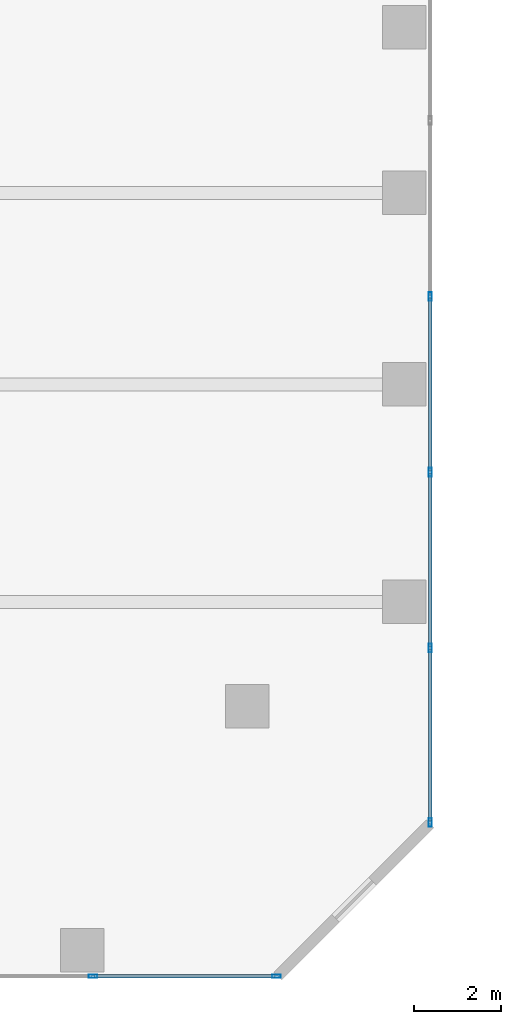
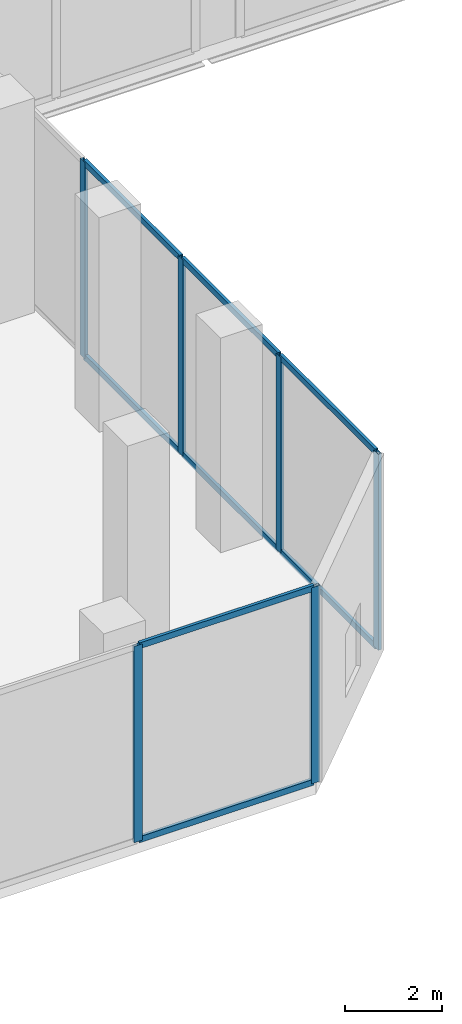
# One storey, part 5 of 24: 14 members, 2 elements without a shape of their own.
"""IFC4 building model written with IfcOpenShell, lengths in metres."""

import ifcopenshell
import ifcopenshell.guid

model = None  # the IFC model being written
_history = None  # IfcOwnerHistory: only IFC2X3 demands one
_inside = {}  # id of a spatial element -> (the spatial element, [elements in it])
_under = {}  # id of a project, library or spatial element -> (it, [spatial elements below it])
_declared = {}  # id of a project -> (the project, [libraries it declares])
_typed = {}  # id of a type object -> (the type object, [elements of that type])
_made_of = {}  # id of a material, layer set ... -> (it, [elements and type objects made of it])


def new_model(schema):
    """Start an empty IFC model of exactly this schema.

    Asked for "IFC4X3", IfcOpenShell would pick the latest addendum, in which some entities
    have other attributes; the version numbers below select the first issue.
    IFC2X3 requires an IfcOwnerHistory on every rooted entity: one is made here for all.
    """
    global model, _history
    if schema == "IFC4X3":
        model = ifcopenshell.file(schema_version=(4, 3, 0, 0))
    else:
        model = ifcopenshell.file(schema=schema)
    _inside.clear()
    _under.clear()
    _declared.clear()
    _typed.clear()
    _made_of.clear()
    _history = None
    if model.schema == "IFC2X3":
        org = make("IfcOrganization", Name="unknown")
        user = make(
            "IfcPersonAndOrganization",
            ThePerson=make("IfcPerson", FamilyName="unknown"),
            TheOrganization=org,
        )
        app = make(
            "IfcApplication",
            ApplicationDeveloper=org,
            Version="unknown",
            ApplicationFullName="unknown",
            ApplicationIdentifier="unknown",
        )
        _history = make(
            "IfcOwnerHistory",
            OwningUser=user,
            OwningApplication=app,
            ChangeAction="ADDED",
            CreationDate=0,
        )
    return model


def make(cls, **values):
    """One entity of the class cls with the attributes given. An attribute that is None is left unset."""
    return model.create_entity(
        cls, **{name: value for name, value in values.items() if value is not None}
    )


def rooted(cls, **values):
    """An entity with a GlobalId (a new one), such as an element, a storey or a relation."""
    return make(cls, GlobalId=ifcopenshell.guid.new(), OwnerHistory=_history, **values)


def si_unit(unit_type, name, prefix=None):
    """IfcSIUnit, for example si_unit("LENGTHUNIT", "METRE", prefix="MILLI")."""
    return make("IfcSIUnit", UnitType=unit_type, Prefix=prefix, Name=name)


def assignment(units):
    """IfcUnitAssignment: the units of a project."""
    return None if units is None else make("IfcUnitAssignment", Units=units)


def point(xyz):
    """IfcCartesianPoint."""
    return None if xyz is None else make("IfcCartesianPoint", Coordinates=xyz)


def direction(xyz):
    """IfcDirection."""
    return None if xyz is None else make("IfcDirection", DirectionRatios=xyz)


def frame(location, z_axis=None, x_axis=None):
    """IfcAxis2Placement3D, a coordinate frame: its origin and axes. An axis left out is left unset."""
    return make(
        "IfcAxis2Placement3D",
        Location=point(location),
        Axis=direction(z_axis),
        RefDirection=direction(x_axis),
    )


def frame_2d(location, x_axis=None):
    """IfcAxis2Placement2D, a coordinate frame in the plane: its origin and x axis."""
    return make(
        "IfcAxis2Placement2D", Location=point(location), RefDirection=direction(x_axis)
    )


def origin():
    """The frame at (0, 0, 0) with its axes left unset."""
    return frame((0.0, 0.0, 0.0))


def origin_2d():
    """The frame at (0, 0) in the plane with its x axis left unset."""
    return frame_2d((0.0, 0.0))


def place(relative_to, where):
    """IfcLocalPlacement: puts the frame where relative to a parent placement (None: the world)."""
    return make(
        "IfcLocalPlacement", PlacementRelTo=relative_to, RelativePlacement=where
    )


def context(
    kind, dimensions, precision=None, world=None, true_north=None, identifier=None
):
    """IfcGeometricRepresentationContext, for example the 3D "Model" context."""
    return make(
        "IfcGeometricRepresentationContext",
        ContextIdentifier=identifier,
        ContextType=kind,
        CoordinateSpaceDimension=dimensions,
        Precision=precision,
        WorldCoordinateSystem=world,
        TrueNorth=true_north,
    )


def subcontext(parent, identifier, kind, view, scale=None):
    """IfcGeometricRepresentationSubContext, for example "Body" below "Model"."""
    return make(
        "IfcGeometricRepresentationSubContext",
        ContextIdentifier=identifier,
        ContextType=kind,
        ParentContext=parent,
        TargetScale=scale,
        TargetView=view,
    )


def project(units=None, contexts=None):
    """IfcProject with its units and contexts."""
    return rooted(
        "IfcProject",
        Name="project",
        RepresentationContexts=contexts,
        UnitsInContext=assignment(units),
    )


def spatial(cls, under=None, at=None, **own):
    """A site, building, storey or space (cls), placed at a placement, below another one or the project."""
    s = rooted(cls, ObjectPlacement=at, **own)
    if under is not None:
        _under.setdefault(under.id(), (under, []))[1].append(s)
    return s


def profile(cls, at=None, kind="AREA", **sizes):
    """A parametric profile (cls). Its sizes go by their IFC names, for example OverallWidth=200.0."""
    return make(cls, ProfileType=kind, Position=at, **sizes)


def hollow_rectangle(**sizes):
    """IfcRectangleHollowProfileDef."""
    return profile("IfcRectangleHollowProfileDef", **sizes)


def extrude(swept, where, along, depth):
    """IfcExtrudedAreaSolid: the profile swept, set in the frame where, extruded along a direction by depth."""
    return make(
        "IfcExtrudedAreaSolid",
        SweptArea=swept,
        Position=where,
        ExtrudedDirection=direction(along),
        Depth=depth,
    )


def shape(context_of_items, identifier, shape_type, items):
    """IfcShapeRepresentation: the items that make up one representation, for example the "Body"."""
    return make(
        "IfcShapeRepresentation",
        ContextOfItems=context_of_items,
        RepresentationIdentifier=identifier,
        RepresentationType=shape_type,
        Items=items,
    )


def material(Name=None, Category=None):
    """IfcMaterial."""
    return make("IfcMaterial", Name=Name, Category=Category)


def layer(
    of_material, thickness, ventilated=None, Name=None, Category=None, Priority=None
):
    """IfcMaterialLayer: one layer of a wall or slab, of a material (None: an air gap)."""
    return make(
        "IfcMaterialLayer",
        Material=of_material,
        LayerThickness=thickness,
        IsVentilated=ventilated,
        Name=Name,
        Category=Category,
        Priority=Priority,
    )


def layer_set(layers, Name=None):
    """IfcMaterialLayerSet."""
    return make("IfcMaterialLayerSet", MaterialLayers=layers, LayerSetName=Name)


def material_profile(
    of_material, cross_section, Name=None, Category=None, Priority=None
):
    """IfcMaterialProfile: a cross section and its material."""
    return make(
        "IfcMaterialProfile",
        Name=Name,
        Material=of_material,
        Profile=cross_section,
        Priority=Priority,
        Category=Category,
    )


def profile_set(profiles, Name=None, composite=None):
    """IfcMaterialProfileSet."""
    return make(
        "IfcMaterialProfileSet",
        Name=Name,
        MaterialProfiles=profiles,
        CompositeProfile=composite,
    )


def made_of(thing, what):
    """Note that an element or type object is made of a material, layer set ...; save() writes the relation."""
    if what is not None:
        _made_of.setdefault(what.id(), (what, []))[1].append(thing)
    return thing


def type_object(cls, material=None, **own):
    """A type object (cls), such as IfcWallType, which elements share."""
    return made_of(rooted(cls, **own), material)


def element(
    cls,
    number,
    at=None,
    inside=None,
    cuts=None,
    type_object=None,
    material=None,
    context=None,
    identifier="Body",
    shape_type=None,
    held_by="IfcProductDefinitionShape",
    body=None,
    shapes=None,
    **own,
):
    """One element of the class cls, such as IfcWall. Its Tag is "e" and its number.

    at: its placement. inside: the storey or other place that contains it. cuts: it is an
    opening in that element (IfcRelVoidsElement). A single representation is given by context,
    identifier, shape_type and body (its items); several are given by shapes. held_by: the class
    of the entity that holds the representations. save() writes the other relations.
    """
    e = rooted(cls, Tag="e%d" % number, ObjectPlacement=at, **own)
    if body is not None:
        shapes = [shape(context, identifier, shape_type, body)]
    if shapes is not None:
        e.Representation = make(held_by, Representations=shapes)
    if inside is not None:
        _inside.setdefault(inside.id(), (inside, []))[1].append(e)
    if cuts is not None:
        rooted(
            "IfcRelVoidsElement", RelatingBuildingElement=cuts, RelatedOpeningElement=e
        )
    if type_object is not None:
        _typed.setdefault(type_object.id(), (type_object, []))[1].append(e)
    return made_of(e, material)


def aggregate(whole, parts):
    """IfcRelAggregates: a whole, such as a stair, and the parts it consists of."""
    return rooted("IfcRelAggregates", RelatingObject=whole, RelatedObjects=parts)


def save(model, path):
    """Write the relations noted so far, then the file.

    IfcRelAggregates (storeys below a building ...), IfcRelContainedInSpatialStructure (elements
    in a storey), IfcRelDefinesByType, IfcRelAssociatesMaterial and IfcRelDeclares: one each for
    every whole, place, type object, material and project.
    """
    for whole, parts in _under.values():
        aggregate(whole, parts)
    for where, things in _inside.values():
        rooted(
            "IfcRelContainedInSpatialStructure",
            RelatedElements=things,
            RelatingStructure=where,
        )
    for kind, things in _typed.values():
        rooted("IfcRelDefinesByType", RelatedObjects=things, RelatingType=kind)
    for what, things in _made_of.values():
        rooted("IfcRelAssociatesMaterial", RelatedObjects=things, RelatingMaterial=what)
    for by, libraries in _declared.values():
        rooted("IfcRelDeclares", RelatingContext=by, RelatedDefinitions=libraries)
    model.write(path)


model = new_model("IFC4")

# Units and contexts
model_context = context("Model", 3, precision=1e-05, world=origin(), true_north=direction((0.0, 1.0)))
body_context = subcontext(model_context, "Body", "Model", "MODEL_VIEW")
ifc_project = project(units=[si_unit("LENGTHUNIT", "METRE"), si_unit("AREAUNIT", "SQUARE_METRE"), si_unit("VOLUMEUNIT", "CUBIC_METRE"), si_unit("PLANEANGLEUNIT", "RADIAN"), si_unit("MASSUNIT", "GRAM", prefix="KILO")], contexts=[model_context])

# Site, building, storey
site_placement = place(None, origin())
site = spatial("IfcSite", under=ifc_project, at=site_placement, CompositionType="ELEMENT")
building_placement = place(site_placement, origin())
building = spatial("IfcBuilding", under=site, at=building_placement, Name="Catumbela Crestline Tower", CompositionType="ELEMENT")
storey_placement = place(building_placement, frame((0.0, 0.0, 15.9)))
storey = spatial("IfcBuildingStorey", under=building, at=storey_placement, Name="L03", CompositionType="ELEMENT", Elevation=15.9)

# Curtain wall, members
ifc_material = material(Name="Aluminium alloy AW-6060-T66", Category="aluminium")
ifc_layer = layer(ifc_material, 0.18, Name="Aluminium alloy AW-6060-T66")
ifc_layer_set = layer_set([ifc_layer], Name="Aluminium alloy AW-6060-T66")
curtain_wall_type = type_object("IfcCurtainWallType", Name="CWS-POD", PredefinedType="USERDEFINED", material=ifc_layer_set)
curtain_wall_1_placement = place(storey_placement, origin())
curtain_wall_1 = element("IfcCurtainWall", 1, at=curtain_wall_1_placement, inside=storey, type_object=curtain_wall_type, Name="L03 Stick Curtain Wall CW-L03-E0S1", ObjectType="STICK", PredefinedType="USERDEFINED")
ifc_material_profile_1 = material_profile(ifc_material, hollow_rectangle(XDim=0.075, YDim=0.2, WallThickness=0.005, at=origin_2d()), Name="ALU 200x75x5")
ifc_profile_set_1 = profile_set([ifc_material_profile_1], Name="Aluminium alloy AW-6060-T66")
member_type_1 = type_object("IfcMemberType", Name="MUL-200X75", PredefinedType="MULLION", material=ifc_profile_set_1)
member_1_placement = place(storey_placement, frame((16.25, 0.0, 0.0), z_axis=(0.0, 0.0, 1.0), x_axis=(0.0, 1.0, 0.0)))
member_1 = element("IfcMember", 2, at=member_1_placement, type_object=member_type_1, Name="CWS-POD mullion 4", PredefinedType="MULLION", context=body_context, shape_type="SweptSolid", body=[
    extrude(hollow_rectangle(XDim=0.075, YDim=0.2, WallThickness=0.005, at=origin_2d()), origin(), (0.0, 0.0, 1.0), 4.94),
])
member_2_placement = place(storey_placement, frame((20.4675, 0.0, 0.0), z_axis=(0.0, 0.0, 1.0), x_axis=(0.0, 1.0, 0.0)))
member_2 = element("IfcMember", 3, at=member_2_placement, type_object=member_type_1, Name="CWS-POD mullion 5", PredefinedType="MULLION", context=body_context, shape_type="SweptSolid", body=[
    extrude(hollow_rectangle(XDim=0.075, YDim=0.2, WallThickness=0.005, at=origin_2d()), origin(), (0.0, 0.0, 1.0), 4.94),
])

curtain_wall_2_placement = place(storey_placement, origin())
curtain_wall_2 = element("IfcCurtainWall", 4, at=curtain_wall_2_placement, inside=storey, type_object=curtain_wall_type, Name="L03 Stick Curtain Wall CW-L03-E2S1", ObjectType="STICK", PredefinedType="USERDEFINED")
member_3_placement = place(storey_placement, frame((24.0, 3.5325, 0.0), z_axis=(0.0, 0.0, 1.0), x_axis=(-1.0, 0.0, 0.0)))
member_3 = element("IfcMember", 5, at=member_3_placement, type_object=member_type_1, Name="CWS-POD mullion 1", PredefinedType="MULLION", context=body_context, shape_type="SweptSolid", body=[
    extrude(hollow_rectangle(XDim=0.075, YDim=0.2, WallThickness=0.005, at=origin_2d()), origin(), (0.0, 0.0, 1.0), 4.94),
])
member_4_placement = place(storey_placement, frame((24.0, 7.54, 0.0), z_axis=(0.0, 0.0, 1.0), x_axis=(-1.0, 0.0, 0.0)))
member_4 = element("IfcMember", 6, at=member_4_placement, type_object=member_type_1, Name="CWS-POD mullion 2", PredefinedType="MULLION", context=body_context, shape_type="SweptSolid", body=[
    extrude(hollow_rectangle(XDim=0.075, YDim=0.2, WallThickness=0.005, at=origin_2d()), origin(), (0.0, 0.0, 1.0), 4.94),
])
member_5_placement = place(storey_placement, frame((24.0, 11.58, 0.0), z_axis=(0.0, 0.0, 1.0), x_axis=(-1.0, 0.0, 0.0)))
member_5 = element("IfcMember", 7, at=member_5_placement, type_object=member_type_1, Name="CWS-POD mullion 3", PredefinedType="MULLION", context=body_context, shape_type="SweptSolid", body=[
    extrude(hollow_rectangle(XDim=0.075, YDim=0.2, WallThickness=0.005, at=origin_2d()), origin(), (0.0, 0.0, 1.0), 4.94),
])
member_6_placement = place(storey_placement, frame((24.0, 15.62, 0.0), z_axis=(0.0, 0.0, 1.0), x_axis=(-1.0, 0.0, 0.0)))
member_6 = element("IfcMember", 8, at=member_6_placement, type_object=member_type_1, Name="CWS-POD mullion 4", PredefinedType="MULLION", context=body_context, shape_type="SweptSolid", body=[
    extrude(hollow_rectangle(XDim=0.075, YDim=0.2, WallThickness=0.005, at=origin_2d()), origin(), (0.0, 0.0, 1.0), 4.94),
])

# Member
ifc_material_profile_2 = material_profile(ifc_material, hollow_rectangle(XDim=0.075, YDim=0.15, WallThickness=0.0045, at=origin_2d()), Name="ALU 150x75x4.5")
ifc_profile_set_2 = profile_set([ifc_material_profile_2], Name="Aluminium alloy AW-6060-T66")
member_type_2 = type_object("IfcMemberType", Name="TRN-150X75", PredefinedType="USERDEFINED", material=ifc_profile_set_2)
member_7_placement = place(storey_placement, frame((16.2825, 0.0, 0.03), z_axis=(1.0, 0.0, 0.0), x_axis=(0.0, 1.0, 0.0)))
member_7 = element("IfcMember", 9, at=member_7_placement, type_object=member_type_2, Name="CWS-POD transom 4.1", ObjectType="TRANSOM", PredefinedType="USERDEFINED", context=body_context, shape_type="SweptSolid", body=[
    extrude(hollow_rectangle(XDim=0.075, YDim=0.15, WallThickness=0.0045, at=origin_2d()), origin(), (0.0, 0.0, 1.0), 4.1525),
])

member_8_placement = place(storey_placement, frame((16.2825, 0.0, 4.91), z_axis=(1.0, 0.0, 0.0), x_axis=(0.0, 1.0, 0.0)))
member_8 = element("IfcMember", 10, at=member_8_placement, type_object=member_type_2, Name="CWS-POD transom 4.2", ObjectType="TRANSOM", PredefinedType="USERDEFINED", context=body_context, shape_type="SweptSolid", body=[
    extrude(hollow_rectangle(XDim=0.075, YDim=0.15, WallThickness=0.0045, at=origin_2d()), origin(), (0.0, 0.0, 1.0), 4.1525),
])

aggregate(curtain_wall_1, [member_1, member_2, member_7, member_8])

member_9_placement = place(storey_placement, frame((24.0, 3.565, 0.03), z_axis=(0.0, 1.0, 0.0), x_axis=(-1.0, 0.0, 0.0)))
member_9 = element("IfcMember", 11, at=member_9_placement, type_object=member_type_2, Name="CWS-POD transom 1.1", ObjectType="TRANSOM", PredefinedType="USERDEFINED", context=body_context, shape_type="SweptSolid", body=[
    extrude(hollow_rectangle(XDim=0.075, YDim=0.15, WallThickness=0.0045, at=origin_2d()), origin(), (0.0, 0.0, 1.0), 3.9425),
])

member_10_placement = place(storey_placement, frame((24.0, 3.565, 4.91), z_axis=(0.0, 1.0, 0.0), x_axis=(-1.0, 0.0, 0.0)))
member_10 = element("IfcMember", 12, at=member_10_placement, type_object=member_type_2, Name="CWS-POD transom 1.2", ObjectType="TRANSOM", PredefinedType="USERDEFINED", context=body_context, shape_type="SweptSolid", body=[
    extrude(hollow_rectangle(XDim=0.075, YDim=0.15, WallThickness=0.0045, at=origin_2d()), origin(), (0.0, 0.0, 1.0), 3.9425),
])

member_11_placement = place(storey_placement, frame((24.0, 7.5725, 0.03), z_axis=(0.0, 1.0, 0.0), x_axis=(-1.0, 0.0, 0.0)))
member_11 = element("IfcMember", 13, at=member_11_placement, type_object=member_type_2, Name="CWS-POD transom 2.1", ObjectType="TRANSOM", PredefinedType="USERDEFINED", context=body_context, shape_type="SweptSolid", body=[
    extrude(hollow_rectangle(XDim=0.075, YDim=0.15, WallThickness=0.0045, at=origin_2d()), origin(), (0.0, 0.0, 1.0), 3.975),
])

member_12_placement = place(storey_placement, frame((24.0, 7.5725, 4.91), z_axis=(0.0, 1.0, 0.0), x_axis=(-1.0, 0.0, 0.0)))
member_12 = element("IfcMember", 14, at=member_12_placement, type_object=member_type_2, Name="CWS-POD transom 2.2", ObjectType="TRANSOM", PredefinedType="USERDEFINED", context=body_context, shape_type="SweptSolid", body=[
    extrude(hollow_rectangle(XDim=0.075, YDim=0.15, WallThickness=0.0045, at=origin_2d()), origin(), (0.0, 0.0, 1.0), 3.975),
])

member_13_placement = place(storey_placement, frame((24.0, 11.6125, 0.03), z_axis=(0.0, 1.0, 0.0), x_axis=(-1.0, 0.0, 0.0)))
member_13 = element("IfcMember", 15, at=member_13_placement, type_object=member_type_2, Name="CWS-POD transom 3.1", ObjectType="TRANSOM", PredefinedType="USERDEFINED", context=body_context, shape_type="SweptSolid", body=[
    extrude(hollow_rectangle(XDim=0.075, YDim=0.15, WallThickness=0.0045, at=origin_2d()), origin(), (0.0, 0.0, 1.0), 3.975),
])

member_14_placement = place(storey_placement, frame((24.0, 11.6125, 4.91), z_axis=(0.0, 1.0, 0.0), x_axis=(-1.0, 0.0, 0.0)))
member_14 = element("IfcMember", 16, at=member_14_placement, type_object=member_type_2, Name="CWS-POD transom 3.2", ObjectType="TRANSOM", PredefinedType="USERDEFINED", context=body_context, shape_type="SweptSolid", body=[
    extrude(hollow_rectangle(XDim=0.075, YDim=0.15, WallThickness=0.0045, at=origin_2d()), origin(), (0.0, 0.0, 1.0), 3.975),
])

aggregate(curtain_wall_2, [member_3, member_4, member_5, member_6, member_9, member_10, member_11, member_12, member_13, member_14])

save(model, "model.ifc")
